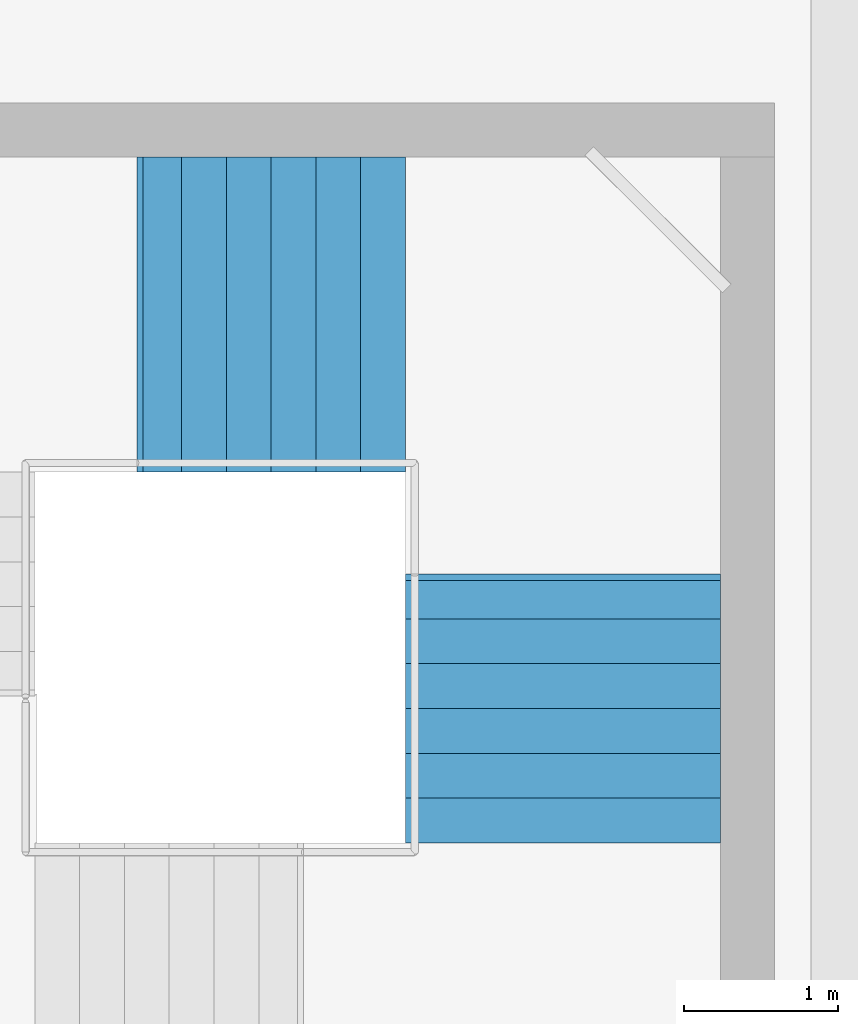
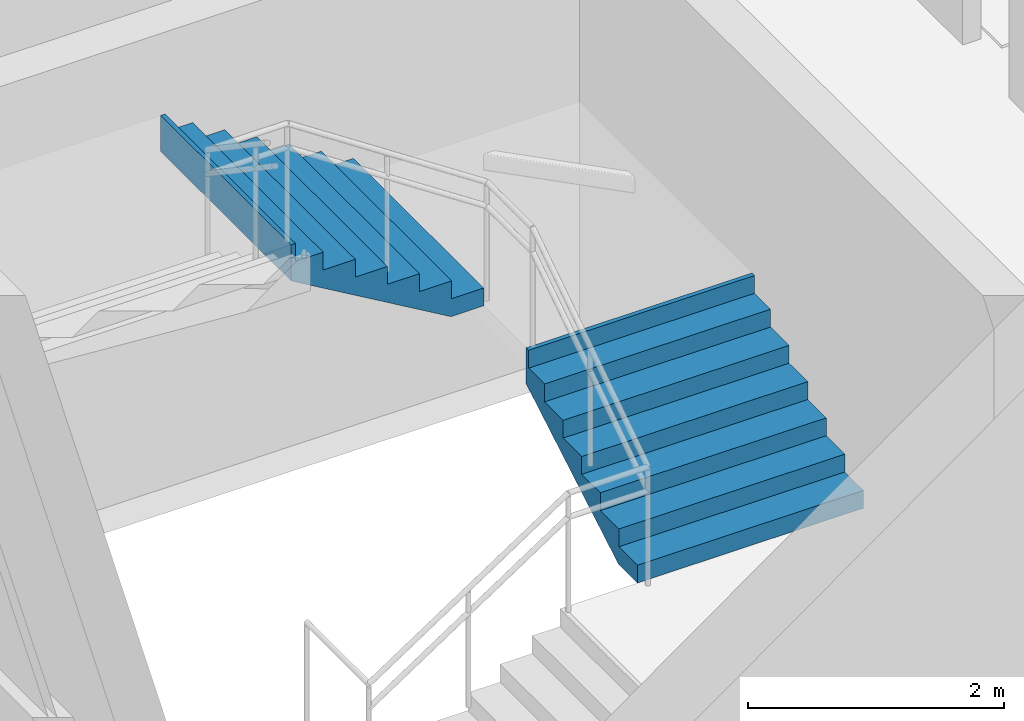
# One storey, part 40 of 49: 2 stair flights, 1 element without a shape of its own.
"""IFC4 building model written with IfcOpenShell, lengths in metres."""

from ifc_helpers import new_model, si_unit, direction, frame, origin, place, context, subcontext, project, spatial, triangles, material, type_object, element, aggregate, save


model = new_model("IFC4")

# Units and contexts
model_context = context("Model", 3, precision=1e-05, world=origin(), true_north=direction((0.0, 1.0)))
body_context = subcontext(model_context, "Body", "Model", "MODEL_VIEW")
ifc_project = project(units=[si_unit("LENGTHUNIT", "METRE"), si_unit("AREAUNIT", "SQUARE_METRE"), si_unit("VOLUMEUNIT", "CUBIC_METRE"), si_unit("PLANEANGLEUNIT", "RADIAN"), si_unit("MASSUNIT", "GRAM", prefix="KILO")], contexts=[model_context])

# Site, building, storey
site_placement = place(None, origin())
site = spatial("IfcSite", under=ifc_project, at=site_placement, CompositionType="ELEMENT")
building_placement = place(site_placement, origin())
building = spatial("IfcBuilding", under=site, at=building_placement, Name="Sillaruma Civic Art Gallery", CompositionType="ELEMENT")
storey_placement = place(building_placement, frame((0.0, 0.0, 33.14990234375)))
storey = spatial("IfcBuildingStorey", under=building, at=storey_placement, Name="L06", CompositionType="ELEMENT", Elevation=33.14990234375)

# Stair, stair flights
ifc_material = material(Name="Concrete H35 (35 MPa)", Category="concrete")
stair_type = type_object("IfcStairType", Name="STR-4F-27", PredefinedType="USERDEFINED", material=ifc_material)
stair_placement = place(storey_placement, origin())
stair = element("IfcStair", 1, at=stair_placement, inside=storey, type_object=stair_type, Name="Protected Exit Stair ST-03 (West Bar South) (L06)", ObjectType="THREE_RETURN_STAIR", PredefinedType="USERDEFINED")
stair_flight_type = type_object("IfcStairFlightType", Name="SFL-STR-7", PredefinedType="STRAIGHT", material=ifc_material)
stair_flight_1_placement = place(storey_placement, frame((68.219970703125, 33.449951171875, 1.190185546875), z_axis=(0.0, 0.0, 1.0), x_axis=(0.0, 1.0, 0.0)))
stair_flight_1 = element("IfcStairFlight", 2, at=stair_flight_1_placement, type_object=stair_flight_type, Name="ST-03 flight 2", NumberOfRisers=7, NumberOfTreads=6, PredefinedType="STRAIGHT", RiserHeight=0.17, TreadLength=0.29, context=body_context, shape_type="Tessellation", body=[
    triangles([(0.0, -1.02001953125, 0.0), (0.29, -1.02001953125, 0.0), (0.296404, -1.02001953125, 0.0), (0.58, -1.02001953125, 0.166246), (0.87, -1.02001953125, 0.336246), (1.16, -1.02001953125, 0.506246), (1.45, -1.02001953125, 0.676246), (1.69999, -1.02001953125, 0.822792), (1.73999, -1.02001953125, 0.84624), (1.73999, -1.02001953125, 1.19), (1.69999, -1.02001953125, 1.19), (1.69999, -1.02001953125, 1.02), (1.45, -1.02001953125, 1.02), (1.45, -1.02001953125, 0.85), (1.16, -1.02001953125, 0.85), (1.16, -1.02001953125, 0.68), (0.87, -1.02001953125, 0.68), (0.87, -1.02001953125, 0.51), (0.58, -1.02001953125, 0.51), (0.58, -1.02001953125, 0.34), (0.296404, -1.02001953125, 0.34), (0.29, -1.02001953125, 0.34), (0.29, -1.02001953125, 0.17), (0.0, -1.02001953125, 0.17), (0.0, -0.05, 0.0), (0.29, -0.05, 0.0), (0.296404, -0.05, 0.0), (0.58, -0.05, 0.166246), (0.87, -0.05, 0.336246), (1.16, -0.05, 0.506246), (1.45, -0.05, 0.676246), (1.69999, -0.05, 0.822792), (1.73999, -0.05, 0.84624), (1.73999, -0.05, 1.19), (1.69999, -0.05, 1.19), (1.69999, -0.05, 1.02), (1.45, -0.05, 1.02), (1.45, -0.05, 0.85), (1.16, -0.05, 0.85), (1.16, -0.05, 0.68), (0.87, -0.05, 0.68), (0.87, -0.05, 0.51), (0.58, -0.05, 0.51), (0.58, -0.05, 0.34), (0.296404, -0.05, 0.34), (0.29, -0.05, 0.34), (0.29, -0.05, 0.17), (0.0, -0.05, 0.17), (0.0, -0.0375, 0.0), (0.29, -0.0375, 0.0), (0.296404, -0.0375, 0.0), (0.58, -0.0375, 0.166246), (0.87, -0.0375, 0.336246), (1.16, -0.0375, 0.506246), (1.45, -0.0375, 0.676246), (1.69999, -0.0375, 0.822792), (1.73999, -0.0375, 0.84624), (1.73999, -0.0375, 1.19), (1.69999, -0.0375, 1.19), (1.69999, -0.0375, 1.02), (1.45, -0.0375, 1.02), (1.45, -0.0375, 0.85), (1.16, -0.0375, 0.85), (1.16, -0.0375, 0.68), (0.87, -0.0375, 0.68), (0.87, -0.0375, 0.51), (0.58, -0.0375, 0.51), (0.58, -0.0375, 0.34), (0.296404, -0.0375, 0.34), (0.29, -0.0375, 0.34), (0.29, -0.0375, 0.17), (0.0, -0.0375, 0.17), (0.0, -0.025, 0.0), (0.29, -0.025, 0.0), (0.296404, -0.025, 0.0), (0.58, -0.025, 0.166246), (0.87, -0.025, 0.336246), (1.16, -0.025, 0.506246), (1.45, -0.025, 0.676246), (1.69999, -0.025, 0.822792), (1.73999, -0.025, 0.84624), (1.73999, -0.025, 1.19), (1.69999, -0.025, 1.19), (1.69999, -0.025, 1.02), (1.45, -0.025, 1.02), (1.45, -0.025, 0.85), (1.16, -0.025, 0.85), (1.16, -0.025, 0.68), (0.87, -0.025, 0.68), (0.87, -0.025, 0.51), (0.58, -0.025, 0.51), (0.58, -0.025, 0.34), (0.296404, -0.025, 0.34), (0.29, -0.025, 0.34), (0.29, -0.025, 0.17), (0.0, -0.025, 0.17), (0.0, -0.0125, 0.0), (0.29, -0.0125, 0.0), (0.296404, -0.0125, 0.0), (0.58, -0.0125, 0.166246), (0.87, -0.0125, 0.336246), (1.16, -0.0125, 0.506246), (1.45, -0.0125, 0.676246), (1.69999, -0.0125, 0.822792), (1.73999, -0.0125, 0.84624), (1.73999, -0.0125, 1.19), (1.69999, -0.0125, 1.19), (1.69999, -0.0125, 1.02), (1.45, -0.0125, 1.02), (1.45, -0.0125, 0.85), (1.16, -0.0125, 0.85), (1.16, -0.0125, 0.68), (0.87, -0.0125, 0.68), (0.87, -0.0125, 0.51), (0.58, -0.0125, 0.51), (0.58, -0.0125, 0.34), (0.296404, -0.0125, 0.34), (0.29, -0.0125, 0.34), (0.29, -0.0125, 0.17), (0.0, -0.0125, 0.17), (0.0, 0.0, 0.0), (0.29, 0.0, 0.0), (0.296404, 0.0, 0.0), (0.58, 0.0, 0.166246), (0.87, 0.0, 0.336246), (1.16, 0.0, 0.506246), (1.45, 0.0, 0.676246), (1.69999, 0.0, 0.822792), (1.73999, 0.0, 0.84624), (1.73999, 0.0, 1.19), (1.69999, 0.0, 1.19), (1.69999, 0.0, 1.02), (1.45, 0.0, 1.02), (1.45, 0.0, 0.85), (1.16, 0.0, 0.85), (1.16, 0.0, 0.68), (0.87, 0.0, 0.68), (0.87, 0.0, 0.51), (0.58, 0.0, 0.51), (0.58, 0.0, 0.34), (0.296404, 0.0, 0.34), (0.29, 0.0, 0.34), (0.29, 0.0, 0.17), (0.0, 0.0, 0.17), (0.0, 0.0125, 0.0), (0.29, 0.0125, 0.0), (0.296404, 0.0125, 0.0), (0.58, 0.0125, 0.166246), (0.87, 0.0125, 0.336246), (1.16, 0.0125, 0.506246), (1.45, 0.0125, 0.676246), (1.69999, 0.0125, 0.822792), (1.73999, 0.0125, 0.84624), (1.73999, 0.0125, 1.19), (1.69999, 0.0125, 1.19), (1.69999, 0.0125, 1.02), (1.45, 0.0125, 1.02), (1.45, 0.0125, 0.85), (1.16, 0.0125, 0.85), (1.16, 0.0125, 0.68), (0.87, 0.0125, 0.68), (0.87, 0.0125, 0.51), (0.58, 0.0125, 0.51), (0.58, 0.0125, 0.34), (0.296404, 0.0125, 0.34), (0.29, 0.0125, 0.34), (0.29, 0.0125, 0.17), (0.0, 0.0125, 0.17), (0.0, 0.025, 0.0), (0.29, 0.025, 0.0), (0.296404, 0.025, 0.0), (0.58, 0.025, 0.166246), (0.87, 0.025, 0.336246), (1.16, 0.025, 0.506246), (1.45, 0.025, 0.676246), (1.69999, 0.025, 0.822792), (1.73999, 0.025, 0.84624), (1.73999, 0.025, 1.19), (1.69999, 0.025, 1.19), (1.69999, 0.025, 1.02), (1.45, 0.025, 1.02), (1.45, 0.025, 0.85), (1.16, 0.025, 0.85), (1.16, 0.025, 0.68), (0.87, 0.025, 0.68), (0.87, 0.025, 0.51), (0.58, 0.025, 0.51), (0.58, 0.025, 0.34), (0.296404, 0.025, 0.34), (0.29, 0.025, 0.34), (0.29, 0.025, 0.17), (0.0, 0.025, 0.17), (0.0, 0.0375, 0.0), (0.29, 0.0375, 0.0), (0.296404, 0.0375, 0.0), (0.58, 0.0375, 0.166246), (0.87, 0.0375, 0.336246), (1.16, 0.0375, 0.506246), (1.45, 0.0375, 0.676246), (1.69999, 0.0375, 0.822792), (1.73999, 0.0375, 0.84624), (1.73999, 0.0375, 1.19), (1.69999, 0.0375, 1.19), (1.69999, 0.0375, 1.02), (1.45, 0.0375, 1.02), (1.45, 0.0375, 0.85), (1.16, 0.0375, 0.85), (1.16, 0.0375, 0.68), (0.87, 0.0375, 0.68), (0.87, 0.0375, 0.51), (0.58, 0.0375, 0.51), (0.58, 0.0375, 0.34), (0.296404, 0.0375, 0.34), (0.29, 0.0375, 0.34), (0.29, 0.0375, 0.17), (0.0, 0.0375, 0.17), (0.0, 0.05, 0.0), (0.29, 0.05, 0.0), (0.296404, 0.05, 0.0), (0.58, 0.05, 0.166246), (0.87, 0.05, 0.336246), (1.16, 0.05, 0.506246), (1.45, 0.05, 0.676246), (1.69999, 0.05, 0.822792), (1.73999, 0.05, 0.84624), (1.73999, 0.05, 1.19), (1.69999, 0.05, 1.19), (1.69999, 0.05, 1.02), (1.45, 0.05, 1.02), (1.45, 0.05, 0.85), (1.16, 0.05, 0.85), (1.16, 0.05, 0.68), (0.87, 0.05, 0.68), (0.87, 0.05, 0.51), (0.58, 0.05, 0.51), (0.58, 0.05, 0.34), (0.296404, 0.05, 0.34), (0.29, 0.05, 0.34), (0.29, 0.05, 0.17), (0.0, 0.05, 0.17), (0.0, 1.02001953125, 0.0), (0.29, 1.02001953125, 0.0), (0.296404, 1.02001953125, 0.0), (0.58, 1.02001953125, 0.166246), (0.87, 1.02001953125, 0.336246), (1.16, 1.02001953125, 0.506246), (1.45, 1.02001953125, 0.676246), (1.69999, 1.02001953125, 0.822792), (1.73999, 1.02001953125, 0.84624), (1.73999, 1.02001953125, 1.19), (1.69999, 1.02001953125, 1.19), (1.69999, 1.02001953125, 1.02), (1.45, 1.02001953125, 1.02), (1.45, 1.02001953125, 0.85), (1.16, 1.02001953125, 0.85), (1.16, 1.02001953125, 0.68), (0.87, 1.02001953125, 0.68), (0.87, 1.02001953125, 0.51), (0.58, 1.02001953125, 0.51), (0.58, 1.02001953125, 0.34), (0.296404, 1.02001953125, 0.34), (0.29, 1.02001953125, 0.34), (0.29, 1.02001953125, 0.17), (0.0, 1.02001953125, 0.17)], [[1, 2, 23], [1, 23, 24], [2, 3, 21], [2, 21, 23], [23, 21, 22], [3, 4, 20], [3, 20, 21], [4, 5, 18], [4, 18, 20], [20, 18, 19], [5, 6, 16], [5, 16, 18], [18, 16, 17], [6, 7, 14], [6, 14, 16], [16, 14, 15], [7, 8, 12], [7, 12, 14], [14, 12, 13], [8, 9, 10], [8, 10, 12], [12, 10, 11], [263, 242, 241], [264, 263, 241], [261, 243, 242], [263, 261, 242], [262, 261, 263], [260, 244, 243], [261, 260, 243], [258, 245, 244], [260, 258, 244], [259, 258, 260], [256, 246, 245], [258, 256, 245], [257, 256, 258], [254, 247, 246], [256, 254, 246], [255, 254, 256], [252, 248, 247], [254, 252, 247], [253, 252, 254], [250, 249, 248], [252, 250, 248], [251, 250, 252], [2, 1, 25], [2, 25, 26], [3, 2, 26], [3, 26, 27], [4, 3, 27], [4, 27, 28], [5, 4, 28], [5, 28, 29], [6, 5, 29], [6, 29, 30], [7, 6, 30], [7, 30, 31], [8, 7, 31], [8, 31, 32], [9, 8, 32], [9, 32, 33], [10, 9, 33], [10, 33, 34], [11, 10, 34], [11, 34, 35], [12, 11, 35], [12, 35, 36], [13, 12, 36], [13, 36, 37], [14, 13, 37], [14, 37, 38], [15, 14, 38], [15, 38, 39], [16, 15, 39], [16, 39, 40], [17, 16, 40], [17, 40, 41], [18, 17, 41], [18, 41, 42], [19, 18, 42], [19, 42, 43], [20, 19, 43], [20, 43, 44], [21, 20, 44], [21, 44, 45], [22, 21, 45], [22, 45, 46], [23, 22, 46], [23, 46, 47], [24, 23, 47], [24, 47, 48], [1, 24, 48], [1, 48, 25], [26, 25, 49], [26, 49, 50], [27, 26, 50], [27, 50, 51], [28, 27, 51], [28, 51, 52], [29, 28, 52], [29, 52, 53], [30, 29, 53], [30, 53, 54], [31, 30, 54], [31, 54, 55], [32, 31, 55], [32, 55, 56], [33, 32, 56], [33, 56, 57], [34, 33, 57], [34, 57, 58], [35, 34, 58], [35, 58, 59], [36, 35, 59], [36, 59, 60], [37, 36, 60], [37, 60, 61], [38, 37, 61], [38, 61, 62], [39, 38, 62], [39, 62, 63], [40, 39, 63], [40, 63, 64], [41, 40, 64], [41, 64, 65], [42, 41, 65], [42, 65, 66], [43, 42, 66], [43, 66, 67], [44, 43, 67], [44, 67, 68], [45, 44, 68], [45, 68, 69], [46, 45, 69], [46, 69, 70], [47, 46, 70], [47, 70, 71], [48, 47, 71], [48, 71, 72], [25, 48, 72], [25, 72, 49], [50, 49, 73], [50, 73, 74], [51, 50, 74], [51, 74, 75], [52, 51, 75], [52, 75, 76], [53, 52, 76], [53, 76, 77], [54, 53, 77], [54, 77, 78], [55, 54, 78], [55, 78, 79], [56, 55, 79], [56, 79, 80], [57, 56, 80], [57, 80, 81], [58, 57, 81], [58, 81, 82], [59, 58, 82], [59, 82, 83], [60, 59, 83], [60, 83, 84], [61, 60, 84], [61, 84, 85], [62, 61, 85], [62, 85, 86], [63, 62, 86], [63, 86, 87], [64, 63, 87], [64, 87, 88], [65, 64, 88], [65, 88, 89], [66, 65, 89], [66, 89, 90], [67, 66, 90], [67, 90, 91], [68, 67, 91], [68, 91, 92], [69, 68, 92], [69, 92, 93], [70, 69, 93], [70, 93, 94], [71, 70, 94], [71, 94, 95], [72, 71, 95], [72, 95, 96], [49, 72, 96], [49, 96, 73], [74, 73, 97], [74, 97, 98], [75, 74, 98], [75, 98, 99], [76, 75, 99], [76, 99, 100], [77, 76, 100], [77, 100, 101], [78, 77, 101], [78, 101, 102], [79, 78, 102], [79, 102, 103], [80, 79, 103], [80, 103, 104], [81, 80, 104], [81, 104, 105], [82, 81, 105], [82, 105, 106], [83, 82, 106], [83, 106, 107], [84, 83, 107], [84, 107, 108], [85, 84, 108], [85, 108, 109], [86, 85, 109], [86, 109, 110], [87, 86, 110], [87, 110, 111], [88, 87, 111], [88, 111, 112], [89, 88, 112], [89, 112, 113], [90, 89, 113], [90, 113, 114], [91, 90, 114], [91, 114, 115], [92, 91, 115], [92, 115, 116], [93, 92, 116], [93, 116, 117], [94, 93, 117], [94, 117, 118], [95, 94, 118], [95, 118, 119], [96, 95, 119], [96, 119, 120], [73, 96, 120], [73, 120, 97], [98, 97, 121], [98, 121, 122], [99, 98, 122], [99, 122, 123], [100, 99, 123], [100, 123, 124], [101, 100, 124], [101, 124, 125], [102, 101, 125], [102, 125, 126], [103, 102, 126], [103, 126, 127], [104, 103, 127], [104, 127, 128], [105, 104, 128], [105, 128, 129], [106, 105, 129], [106, 129, 130], [107, 106, 130], [107, 130, 131], [108, 107, 131], [108, 131, 132], [109, 108, 132], [109, 132, 133], [110, 109, 133], [110, 133, 134], [111, 110, 134], [111, 134, 135], [112, 111, 135], [112, 135, 136], [113, 112, 136], [113, 136, 137], [114, 113, 137], [114, 137, 138], [115, 114, 138], [115, 138, 139], [116, 115, 139], [116, 139, 140], [117, 116, 140], [117, 140, 141], [118, 117, 141], [118, 141, 142], [119, 118, 142], [119, 142, 143], [120, 119, 143], [120, 143, 144], [97, 120, 144], [97, 144, 121], [122, 121, 145], [122, 145, 146], [123, 122, 146], [123, 146, 147], [124, 123, 147], [124, 147, 148], [125, 124, 148], [125, 148, 149], [126, 125, 149], [126, 149, 150], [127, 126, 150], [127, 150, 151], [128, 127, 151], [128, 151, 152], [129, 128, 152], [129, 152, 153], [130, 129, 153], [130, 153, 154], [131, 130, 154], [131, 154, 155], [132, 131, 155], [132, 155, 156], [133, 132, 156], [133, 156, 157], [134, 133, 157], [134, 157, 158], [135, 134, 158], [135, 158, 159], [136, 135, 159], [136, 159, 160], [137, 136, 160], [137, 160, 161], [138, 137, 161], [138, 161, 162], [139, 138, 162], [139, 162, 163], [140, 139, 163], [140, 163, 164], [141, 140, 164], [141, 164, 165], [142, 141, 165], [142, 165, 166], [143, 142, 166], [143, 166, 167], [144, 143, 167], [144, 167, 168], [121, 144, 168], [121, 168, 145], [146, 145, 169], [146, 169, 170], [147, 146, 170], [147, 170, 171], [148, 147, 171], [148, 171, 172], [149, 148, 172], [149, 172, 173], [150, 149, 173], [150, 173, 174], [151, 150, 174], [151, 174, 175], [152, 151, 175], [152, 175, 176], [153, 152, 176], [153, 176, 177], [154, 153, 177], [154, 177, 178], [155, 154, 178], [155, 178, 179], [156, 155, 179], [156, 179, 180], [157, 156, 180], [157, 180, 181], [158, 157, 181], [158, 181, 182], [159, 158, 182], [159, 182, 183], [160, 159, 183], [160, 183, 184], [161, 160, 184], [161, 184, 185], [162, 161, 185], [162, 185, 186], [163, 162, 186], [163, 186, 187], [164, 163, 187], [164, 187, 188], [165, 164, 188], [165, 188, 189], [166, 165, 189], [166, 189, 190], [167, 166, 190], [167, 190, 191], [168, 167, 191], [168, 191, 192], [145, 168, 192], [145, 192, 169], [170, 169, 193], [170, 193, 194], [171, 170, 194], [171, 194, 195], [172, 171, 195], [172, 195, 196], [173, 172, 196], [173, 196, 197], [174, 173, 197], [174, 197, 198], [175, 174, 198], [175, 198, 199], [176, 175, 199], [176, 199, 200], [177, 176, 200], [177, 200, 201], [178, 177, 201], [178, 201, 202], [179, 178, 202], [179, 202, 203], [180, 179, 203], [180, 203, 204], [181, 180, 204], [181, 204, 205], [182, 181, 205], [182, 205, 206], [183, 182, 206], [183, 206, 207], [184, 183, 207], [184, 207, 208], [185, 184, 208], [185, 208, 209], [186, 185, 209], [186, 209, 210], [187, 186, 210], [187, 210, 211], [188, 187, 211], [188, 211, 212], [189, 188, 212], [189, 212, 213], [190, 189, 213], [190, 213, 214], [191, 190, 214], [191, 214, 215], [192, 191, 215], [192, 215, 216], [169, 192, 216], [169, 216, 193], [194, 193, 217], [194, 217, 218], [195, 194, 218], [195, 218, 219], [196, 195, 219], [196, 219, 220], [197, 196, 220], [197, 220, 221], [198, 197, 221], [198, 221, 222], [199, 198, 222], [199, 222, 223], [200, 199, 223], [200, 223, 224], [201, 200, 224], [201, 224, 225], [202, 201, 225], [202, 225, 226], [203, 202, 226], [203, 226, 227], [204, 203, 227], [204, 227, 228], [205, 204, 228], [205, 228, 229], [206, 205, 229], [206, 229, 230], [207, 206, 230], [207, 230, 231], [208, 207, 231], [208, 231, 232], [209, 208, 232], [209, 232, 233], [210, 209, 233], [210, 233, 234], [211, 210, 234], [211, 234, 235], [212, 211, 235], [212, 235, 236], [213, 212, 236], [213, 236, 237], [214, 213, 237], [214, 237, 238], [215, 214, 238], [215, 238, 239], [216, 215, 239], [216, 239, 240], [193, 216, 240], [193, 240, 217], [218, 217, 241], [218, 241, 242], [219, 218, 242], [219, 242, 243], [220, 219, 243], [220, 243, 244], [221, 220, 244], [221, 244, 245], [222, 221, 245], [222, 245, 246], [223, 222, 246], [223, 246, 247], [224, 223, 247], [224, 247, 248], [225, 224, 248], [225, 248, 249], [226, 225, 249], [226, 249, 250], [227, 226, 250], [227, 250, 251], [228, 227, 251], [228, 251, 252], [229, 228, 252], [229, 252, 253], [230, 229, 253], [230, 253, 254], [231, 230, 254], [231, 254, 255], [232, 231, 255], [232, 255, 256], [233, 232, 256], [233, 256, 257], [234, 233, 257], [234, 257, 258], [235, 234, 258], [235, 258, 259], [236, 235, 259], [236, 259, 260], [237, 236, 260], [237, 260, 261], [238, 237, 261], [238, 261, 262], [239, 238, 262], [239, 262, 263], [240, 239, 263], [240, 263, 264], [217, 240, 264], [217, 264, 241]], closed=True),
])
stair_flight_2_placement = place(storey_placement, frame((67.199951171875, 36.8701171875, 2.380126953125), z_axis=(0.0, 0.0, 1.0), x_axis=(-1.0, 0.0, 0.0)))
stair_flight_2 = element("IfcStairFlight", 3, at=stair_flight_2_placement, type_object=stair_flight_type, Name="ST-03 flight 3", NumberOfRisers=7, NumberOfTreads=6, PredefinedType="STRAIGHT", RiserHeight=0.17, TreadLength=0.29, context=body_context, shape_type="Tessellation", body=[
    triangles([(0.0, -1.02001953125, 0.0), (0.29, -1.02001953125, 0.0), (0.296404, -1.02001953125, 0.0), (0.58, -1.02001953125, 0.166246), (0.87, -1.02001953125, 0.336246), (1.16, -1.02001953125, 0.506246), (1.45, -1.02001953125, 0.676246), (1.69999, -1.02001953125, 0.822792), (1.73999, -1.02001953125, 0.84624), (1.73999, -1.02001953125, 1.19), (1.69999, -1.02001953125, 1.19), (1.69999, -1.02001953125, 1.02), (1.45, -1.02001953125, 1.02), (1.45, -1.02001953125, 0.85), (1.16, -1.02001953125, 0.85), (1.16, -1.02001953125, 0.68), (0.87, -1.02001953125, 0.68), (0.87, -1.02001953125, 0.51), (0.58, -1.02001953125, 0.51), (0.58, -1.02001953125, 0.34), (0.296404, -1.02001953125, 0.34), (0.29, -1.02001953125, 0.34), (0.29, -1.02001953125, 0.17), (0.0, -1.02001953125, 0.17), (0.0, -0.05, 0.0), (0.29, -0.05, 0.0), (0.296404, -0.05, 0.0), (0.58, -0.05, 0.166246), (0.87, -0.05, 0.336246), (1.16, -0.05, 0.506246), (1.45, -0.05, 0.676246), (1.69999, -0.05, 0.822792), (1.73999, -0.05, 0.84624), (1.73999, -0.05, 1.19), (1.69999, -0.05, 1.19), (1.69999, -0.05, 1.02), (1.45, -0.05, 1.02), (1.45, -0.05, 0.85), (1.16, -0.05, 0.85), (1.16, -0.05, 0.68), (0.87, -0.05, 0.68), (0.87, -0.05, 0.51), (0.58, -0.05, 0.51), (0.58, -0.05, 0.34), (0.296404, -0.05, 0.34), (0.29, -0.05, 0.34), (0.29, -0.05, 0.17), (0.0, -0.05, 0.17), (0.0, -0.0375, 0.0), (0.29, -0.0375, 0.0), (0.296404, -0.0375, 0.0), (0.58, -0.0375, 0.166246), (0.87, -0.0375, 0.336246), (1.16, -0.0375, 0.506246), (1.45, -0.0375, 0.676246), (1.69999, -0.0375, 0.822792), (1.73999, -0.0375, 0.84624), (1.73999, -0.0375, 1.19), (1.69999, -0.0375, 1.19), (1.69999, -0.0375, 1.02), (1.45, -0.0375, 1.02), (1.45, -0.0375, 0.85), (1.16, -0.0375, 0.85), (1.16, -0.0375, 0.68), (0.87, -0.0375, 0.68), (0.87, -0.0375, 0.51), (0.58, -0.0375, 0.51), (0.58, -0.0375, 0.34), (0.296404, -0.0375, 0.34), (0.29, -0.0375, 0.34), (0.29, -0.0375, 0.17), (0.0, -0.0375, 0.17), (0.0, -0.025, 0.0), (0.29, -0.025, 0.0), (0.296404, -0.025, 0.0), (0.58, -0.025, 0.166246), (0.87, -0.025, 0.336246), (1.16, -0.025, 0.506246), (1.45, -0.025, 0.676246), (1.69999, -0.025, 0.822792), (1.73999, -0.025, 0.84624), (1.73999, -0.025, 1.19), (1.69999, -0.025, 1.19), (1.69999, -0.025, 1.02), (1.45, -0.025, 1.02), (1.45, -0.025, 0.85), (1.16, -0.025, 0.85), (1.16, -0.025, 0.68), (0.87, -0.025, 0.68), (0.87, -0.025, 0.51), (0.58, -0.025, 0.51), (0.58, -0.025, 0.34), (0.296404, -0.025, 0.34), (0.29, -0.025, 0.34), (0.29, -0.025, 0.17), (0.0, -0.025, 0.17), (0.0, -0.0125, 0.0), (0.29, -0.0125, 0.0), (0.296404, -0.0125, 0.0), (0.58, -0.0125, 0.166246), (0.87, -0.0125, 0.336246), (1.16, -0.0125, 0.506246), (1.45, -0.0125, 0.676246), (1.69999, -0.0125, 0.822792), (1.73999, -0.0125, 0.84624), (1.73999, -0.0125, 1.19), (1.69999, -0.0125, 1.19), (1.69999, -0.0125, 1.02), (1.45, -0.0125, 1.02), (1.45, -0.0125, 0.85), (1.16, -0.0125, 0.85), (1.16, -0.0125, 0.68), (0.87, -0.0125, 0.68), (0.87, -0.0125, 0.51), (0.58, -0.0125, 0.51), (0.58, -0.0125, 0.34), (0.296404, -0.0125, 0.34), (0.29, -0.0125, 0.34), (0.29, -0.0125, 0.17), (0.0, -0.0125, 0.17), (0.0, 0.0, 0.0), (0.29, 0.0, 0.0), (0.296404, 0.0, 0.0), (0.58, 0.0, 0.166246), (0.87, 0.0, 0.336246), (1.16, 0.0, 0.506246), (1.45, 0.0, 0.676246), (1.69999, 0.0, 0.822792), (1.73999, 0.0, 0.84624), (1.73999, 0.0, 1.19), (1.69999, 0.0, 1.19), (1.69999, 0.0, 1.02), (1.45, 0.0, 1.02), (1.45, 0.0, 0.85), (1.16, 0.0, 0.85), (1.16, 0.0, 0.68), (0.87, 0.0, 0.68), (0.87, 0.0, 0.51), (0.58, 0.0, 0.51), (0.58, 0.0, 0.34), (0.296404, 0.0, 0.34), (0.29, 0.0, 0.34), (0.29, 0.0, 0.17), (0.0, 0.0, 0.17), (0.0, 0.0125, 0.0), (0.29, 0.0125, 0.0), (0.296404, 0.0125, 0.0), (0.58, 0.0125, 0.166246), (0.87, 0.0125, 0.336246), (1.16, 0.0125, 0.506246), (1.45, 0.0125, 0.676246), (1.69999, 0.0125, 0.822792), (1.73999, 0.0125, 0.84624), (1.73999, 0.0125, 1.19), (1.69999, 0.0125, 1.19), (1.69999, 0.0125, 1.02), (1.45, 0.0125, 1.02), (1.45, 0.0125, 0.85), (1.16, 0.0125, 0.85), (1.16, 0.0125, 0.68), (0.87, 0.0125, 0.68), (0.87, 0.0125, 0.51), (0.58, 0.0125, 0.51), (0.58, 0.0125, 0.34), (0.296404, 0.0125, 0.34), (0.29, 0.0125, 0.34), (0.29, 0.0125, 0.17), (0.0, 0.0125, 0.17), (0.0, 0.025, 0.0), (0.29, 0.025, 0.0), (0.296404, 0.025, 0.0), (0.58, 0.025, 0.166246), (0.87, 0.025, 0.336246), (1.16, 0.025, 0.506246), (1.45, 0.025, 0.676246), (1.69999, 0.025, 0.822792), (1.73999, 0.025, 0.84624), (1.73999, 0.025, 1.19), (1.69999, 0.025, 1.19), (1.69999, 0.025, 1.02), (1.45, 0.025, 1.02), (1.45, 0.025, 0.85), (1.16, 0.025, 0.85), (1.16, 0.025, 0.68), (0.87, 0.025, 0.68), (0.87, 0.025, 0.51), (0.58, 0.025, 0.51), (0.58, 0.025, 0.34), (0.296404, 0.025, 0.34), (0.29, 0.025, 0.34), (0.29, 0.025, 0.17), (0.0, 0.025, 0.17), (0.0, 0.0375, 0.0), (0.29, 0.0375, 0.0), (0.296404, 0.0375, 0.0), (0.58, 0.0375, 0.166246), (0.87, 0.0375, 0.336246), (1.16, 0.0375, 0.506246), (1.45, 0.0375, 0.676246), (1.69999, 0.0375, 0.822792), (1.73999, 0.0375, 0.84624), (1.73999, 0.0375, 1.19), (1.69999, 0.0375, 1.19), (1.69999, 0.0375, 1.02), (1.45, 0.0375, 1.02), (1.45, 0.0375, 0.85), (1.16, 0.0375, 0.85), (1.16, 0.0375, 0.68), (0.87, 0.0375, 0.68), (0.87, 0.0375, 0.51), (0.58, 0.0375, 0.51), (0.58, 0.0375, 0.34), (0.296404, 0.0375, 0.34), (0.29, 0.0375, 0.34), (0.29, 0.0375, 0.17), (0.0, 0.0375, 0.17), (0.0, 0.05, 0.0), (0.29, 0.05, 0.0), (0.296404, 0.05, 0.0), (0.58, 0.05, 0.166246), (0.87, 0.05, 0.336246), (1.16, 0.05, 0.506246), (1.45, 0.05, 0.676246), (1.69999, 0.05, 0.822792), (1.73999, 0.05, 0.84624), (1.73999, 0.05, 1.19), (1.69999, 0.05, 1.19), (1.69999, 0.05, 1.02), (1.45, 0.05, 1.02), (1.45, 0.05, 0.85), (1.16, 0.05, 0.85), (1.16, 0.05, 0.68), (0.87, 0.05, 0.68), (0.87, 0.05, 0.51), (0.58, 0.05, 0.51), (0.58, 0.05, 0.34), (0.296404, 0.05, 0.34), (0.29, 0.05, 0.34), (0.29, 0.05, 0.17), (0.0, 0.05, 0.17), (0.0, 1.02001953125, 0.0), (0.29, 1.02001953125, 0.0), (0.296404, 1.02001953125, 0.0), (0.58, 1.02001953125, 0.166246), (0.87, 1.02001953125, 0.336246), (1.16, 1.02001953125, 0.506246), (1.45, 1.02001953125, 0.676246), (1.69999, 1.02001953125, 0.822792), (1.73999, 1.02001953125, 0.84624), (1.73999, 1.02001953125, 1.19), (1.69999, 1.02001953125, 1.19), (1.69999, 1.02001953125, 1.02), (1.45, 1.02001953125, 1.02), (1.45, 1.02001953125, 0.85), (1.16, 1.02001953125, 0.85), (1.16, 1.02001953125, 0.68), (0.87, 1.02001953125, 0.68), (0.87, 1.02001953125, 0.51), (0.58, 1.02001953125, 0.51), (0.58, 1.02001953125, 0.34), (0.296404, 1.02001953125, 0.34), (0.29, 1.02001953125, 0.34), (0.29, 1.02001953125, 0.17), (0.0, 1.02001953125, 0.17)], [[1, 2, 23], [1, 23, 24], [2, 3, 21], [2, 21, 23], [23, 21, 22], [3, 4, 20], [3, 20, 21], [4, 5, 18], [4, 18, 20], [20, 18, 19], [5, 6, 16], [5, 16, 18], [18, 16, 17], [6, 7, 14], [6, 14, 16], [16, 14, 15], [7, 8, 12], [7, 12, 14], [14, 12, 13], [8, 9, 10], [8, 10, 12], [12, 10, 11], [263, 242, 241], [264, 263, 241], [261, 243, 242], [263, 261, 242], [262, 261, 263], [260, 244, 243], [261, 260, 243], [258, 245, 244], [260, 258, 244], [259, 258, 260], [256, 246, 245], [258, 256, 245], [257, 256, 258], [254, 247, 246], [256, 254, 246], [255, 254, 256], [252, 248, 247], [254, 252, 247], [253, 252, 254], [250, 249, 248], [252, 250, 248], [251, 250, 252], [2, 1, 25], [2, 25, 26], [3, 2, 26], [3, 26, 27], [4, 3, 27], [4, 27, 28], [5, 4, 28], [5, 28, 29], [6, 5, 29], [6, 29, 30], [7, 6, 30], [7, 30, 31], [8, 7, 31], [8, 31, 32], [9, 8, 32], [9, 32, 33], [10, 9, 33], [10, 33, 34], [11, 10, 34], [11, 34, 35], [12, 11, 35], [12, 35, 36], [13, 12, 36], [13, 36, 37], [14, 13, 37], [14, 37, 38], [15, 14, 38], [15, 38, 39], [16, 15, 39], [16, 39, 40], [17, 16, 40], [17, 40, 41], [18, 17, 41], [18, 41, 42], [19, 18, 42], [19, 42, 43], [20, 19, 43], [20, 43, 44], [21, 20, 44], [21, 44, 45], [22, 21, 45], [22, 45, 46], [23, 22, 46], [23, 46, 47], [24, 23, 47], [24, 47, 48], [1, 24, 48], [1, 48, 25], [26, 25, 49], [26, 49, 50], [27, 26, 50], [27, 50, 51], [28, 27, 51], [28, 51, 52], [29, 28, 52], [29, 52, 53], [30, 29, 53], [30, 53, 54], [31, 30, 54], [31, 54, 55], [32, 31, 55], [32, 55, 56], [33, 32, 56], [33, 56, 57], [34, 33, 57], [34, 57, 58], [35, 34, 58], [35, 58, 59], [36, 35, 59], [36, 59, 60], [37, 36, 60], [37, 60, 61], [38, 37, 61], [38, 61, 62], [39, 38, 62], [39, 62, 63], [40, 39, 63], [40, 63, 64], [41, 40, 64], [41, 64, 65], [42, 41, 65], [42, 65, 66], [43, 42, 66], [43, 66, 67], [44, 43, 67], [44, 67, 68], [45, 44, 68], [45, 68, 69], [46, 45, 69], [46, 69, 70], [47, 46, 70], [47, 70, 71], [48, 47, 71], [48, 71, 72], [25, 48, 72], [25, 72, 49], [50, 49, 73], [50, 73, 74], [51, 50, 74], [51, 74, 75], [52, 51, 75], [52, 75, 76], [53, 52, 76], [53, 76, 77], [54, 53, 77], [54, 77, 78], [55, 54, 78], [55, 78, 79], [56, 55, 79], [56, 79, 80], [57, 56, 80], [57, 80, 81], [58, 57, 81], [58, 81, 82], [59, 58, 82], [59, 82, 83], [60, 59, 83], [60, 83, 84], [61, 60, 84], [61, 84, 85], [62, 61, 85], [62, 85, 86], [63, 62, 86], [63, 86, 87], [64, 63, 87], [64, 87, 88], [65, 64, 88], [65, 88, 89], [66, 65, 89], [66, 89, 90], [67, 66, 90], [67, 90, 91], [68, 67, 91], [68, 91, 92], [69, 68, 92], [69, 92, 93], [70, 69, 93], [70, 93, 94], [71, 70, 94], [71, 94, 95], [72, 71, 95], [72, 95, 96], [49, 72, 96], [49, 96, 73], [74, 73, 97], [74, 97, 98], [75, 74, 98], [75, 98, 99], [76, 75, 99], [76, 99, 100], [77, 76, 100], [77, 100, 101], [78, 77, 101], [78, 101, 102], [79, 78, 102], [79, 102, 103], [80, 79, 103], [80, 103, 104], [81, 80, 104], [81, 104, 105], [82, 81, 105], [82, 105, 106], [83, 82, 106], [83, 106, 107], [84, 83, 107], [84, 107, 108], [85, 84, 108], [85, 108, 109], [86, 85, 109], [86, 109, 110], [87, 86, 110], [87, 110, 111], [88, 87, 111], [88, 111, 112], [89, 88, 112], [89, 112, 113], [90, 89, 113], [90, 113, 114], [91, 90, 114], [91, 114, 115], [92, 91, 115], [92, 115, 116], [93, 92, 116], [93, 116, 117], [94, 93, 117], [94, 117, 118], [95, 94, 118], [95, 118, 119], [96, 95, 119], [96, 119, 120], [73, 96, 120], [73, 120, 97], [98, 97, 121], [98, 121, 122], [99, 98, 122], [99, 122, 123], [100, 99, 123], [100, 123, 124], [101, 100, 124], [101, 124, 125], [102, 101, 125], [102, 125, 126], [103, 102, 126], [103, 126, 127], [104, 103, 127], [104, 127, 128], [105, 104, 128], [105, 128, 129], [106, 105, 129], [106, 129, 130], [107, 106, 130], [107, 130, 131], [108, 107, 131], [108, 131, 132], [109, 108, 132], [109, 132, 133], [110, 109, 133], [110, 133, 134], [111, 110, 134], [111, 134, 135], [112, 111, 135], [112, 135, 136], [113, 112, 136], [113, 136, 137], [114, 113, 137], [114, 137, 138], [115, 114, 138], [115, 138, 139], [116, 115, 139], [116, 139, 140], [117, 116, 140], [117, 140, 141], [118, 117, 141], [118, 141, 142], [119, 118, 142], [119, 142, 143], [120, 119, 143], [120, 143, 144], [97, 120, 144], [97, 144, 121], [122, 121, 145], [122, 145, 146], [123, 122, 146], [123, 146, 147], [124, 123, 147], [124, 147, 148], [125, 124, 148], [125, 148, 149], [126, 125, 149], [126, 149, 150], [127, 126, 150], [127, 150, 151], [128, 127, 151], [128, 151, 152], [129, 128, 152], [129, 152, 153], [130, 129, 153], [130, 153, 154], [131, 130, 154], [131, 154, 155], [132, 131, 155], [132, 155, 156], [133, 132, 156], [133, 156, 157], [134, 133, 157], [134, 157, 158], [135, 134, 158], [135, 158, 159], [136, 135, 159], [136, 159, 160], [137, 136, 160], [137, 160, 161], [138, 137, 161], [138, 161, 162], [139, 138, 162], [139, 162, 163], [140, 139, 163], [140, 163, 164], [141, 140, 164], [141, 164, 165], [142, 141, 165], [142, 165, 166], [143, 142, 166], [143, 166, 167], [144, 143, 167], [144, 167, 168], [121, 144, 168], [121, 168, 145], [146, 145, 169], [146, 169, 170], [147, 146, 170], [147, 170, 171], [148, 147, 171], [148, 171, 172], [149, 148, 172], [149, 172, 173], [150, 149, 173], [150, 173, 174], [151, 150, 174], [151, 174, 175], [152, 151, 175], [152, 175, 176], [153, 152, 176], [153, 176, 177], [154, 153, 177], [154, 177, 178], [155, 154, 178], [155, 178, 179], [156, 155, 179], [156, 179, 180], [157, 156, 180], [157, 180, 181], [158, 157, 181], [158, 181, 182], [159, 158, 182], [159, 182, 183], [160, 159, 183], [160, 183, 184], [161, 160, 184], [161, 184, 185], [162, 161, 185], [162, 185, 186], [163, 162, 186], [163, 186, 187], [164, 163, 187], [164, 187, 188], [165, 164, 188], [165, 188, 189], [166, 165, 189], [166, 189, 190], [167, 166, 190], [167, 190, 191], [168, 167, 191], [168, 191, 192], [145, 168, 192], [145, 192, 169], [170, 169, 193], [170, 193, 194], [171, 170, 194], [171, 194, 195], [172, 171, 195], [172, 195, 196], [173, 172, 196], [173, 196, 197], [174, 173, 197], [174, 197, 198], [175, 174, 198], [175, 198, 199], [176, 175, 199], [176, 199, 200], [177, 176, 200], [177, 200, 201], [178, 177, 201], [178, 201, 202], [179, 178, 202], [179, 202, 203], [180, 179, 203], [180, 203, 204], [181, 180, 204], [181, 204, 205], [182, 181, 205], [182, 205, 206], [183, 182, 206], [183, 206, 207], [184, 183, 207], [184, 207, 208], [185, 184, 208], [185, 208, 209], [186, 185, 209], [186, 209, 210], [187, 186, 210], [187, 210, 211], [188, 187, 211], [188, 211, 212], [189, 188, 212], [189, 212, 213], [190, 189, 213], [190, 213, 214], [191, 190, 214], [191, 214, 215], [192, 191, 215], [192, 215, 216], [169, 192, 216], [169, 216, 193], [194, 193, 217], [194, 217, 218], [195, 194, 218], [195, 218, 219], [196, 195, 219], [196, 219, 220], [197, 196, 220], [197, 220, 221], [198, 197, 221], [198, 221, 222], [199, 198, 222], [199, 222, 223], [200, 199, 223], [200, 223, 224], [201, 200, 224], [201, 224, 225], [202, 201, 225], [202, 225, 226], [203, 202, 226], [203, 226, 227], [204, 203, 227], [204, 227, 228], [205, 204, 228], [205, 228, 229], [206, 205, 229], [206, 229, 230], [207, 206, 230], [207, 230, 231], [208, 207, 231], [208, 231, 232], [209, 208, 232], [209, 232, 233], [210, 209, 233], [210, 233, 234], [211, 210, 234], [211, 234, 235], [212, 211, 235], [212, 235, 236], [213, 212, 236], [213, 236, 237], [214, 213, 237], [214, 237, 238], [215, 214, 238], [215, 238, 239], [216, 215, 239], [216, 239, 240], [193, 216, 240], [193, 240, 217], [218, 217, 241], [218, 241, 242], [219, 218, 242], [219, 242, 243], [220, 219, 243], [220, 243, 244], [221, 220, 244], [221, 244, 245], [222, 221, 245], [222, 245, 246], [223, 222, 246], [223, 246, 247], [224, 223, 247], [224, 247, 248], [225, 224, 248], [225, 248, 249], [226, 225, 249], [226, 249, 250], [227, 226, 250], [227, 250, 251], [228, 227, 251], [228, 251, 252], [229, 228, 252], [229, 252, 253], [230, 229, 253], [230, 253, 254], [231, 230, 254], [231, 254, 255], [232, 231, 255], [232, 255, 256], [233, 232, 256], [233, 256, 257], [234, 233, 257], [234, 257, 258], [235, 234, 258], [235, 258, 259], [236, 235, 259], [236, 259, 260], [237, 236, 260], [237, 260, 261], [238, 237, 261], [238, 261, 262], [239, 238, 262], [239, 262, 263], [240, 239, 263], [240, 263, 264], [217, 240, 264], [217, 264, 241]], closed=True),
])
aggregate(stair, [stair_flight_1, stair_flight_2])

save(model, "model.ifc")
